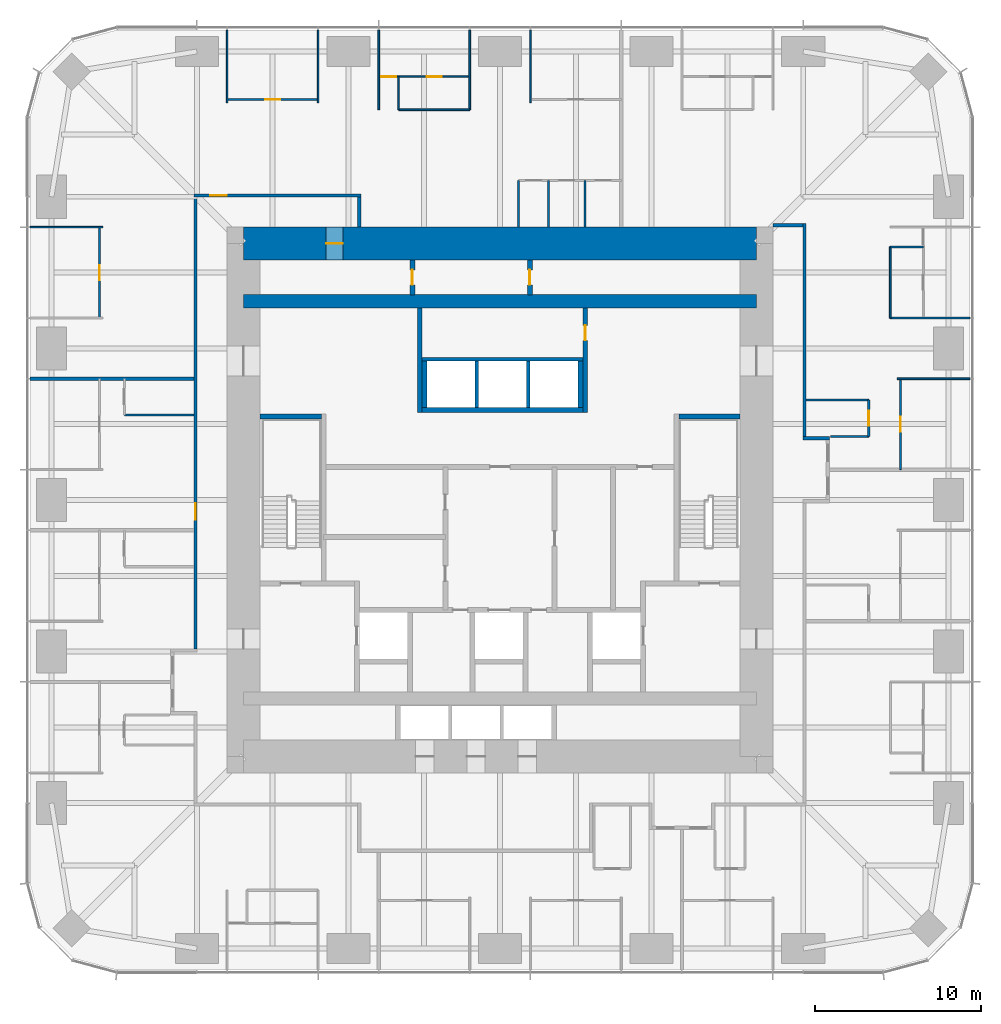
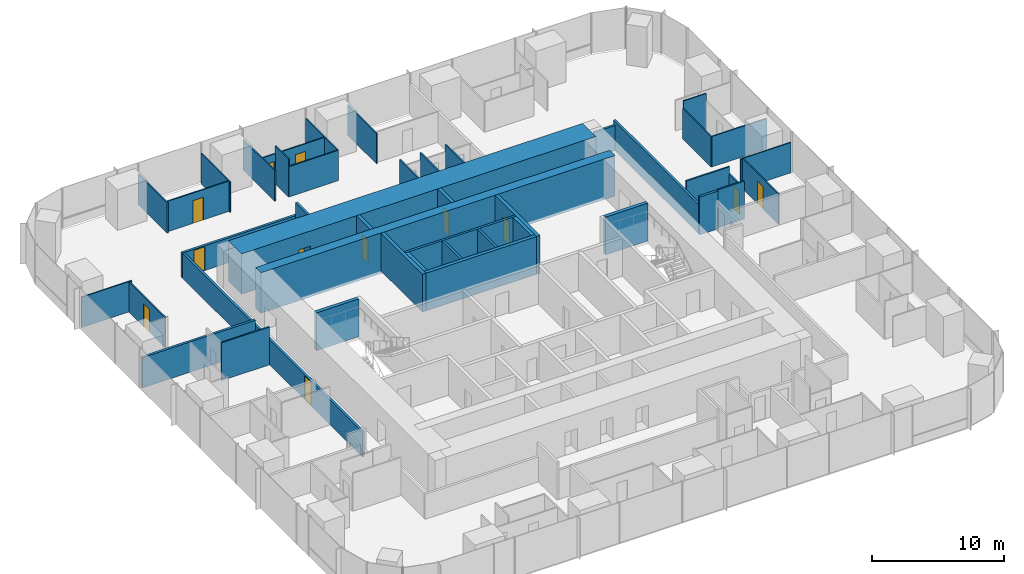
# One storey, part 11 of 13: 44 walls, 12 doors, 12 openings.
"""IFC4 building model written with IfcOpenShell, lengths in metres."""

import ifcopenshell
import ifcopenshell.guid

model = None  # the IFC model being written
_history = None  # IfcOwnerHistory: only IFC2X3 demands one
_inside = {}  # id of a spatial element -> (the spatial element, [elements in it])
_under = {}  # id of a project, library or spatial element -> (it, [spatial elements below it])
_declared = {}  # id of a project -> (the project, [libraries it declares])
_typed = {}  # id of a type object -> (the type object, [elements of that type])
_made_of = {}  # id of a material, layer set ... -> (it, [elements and type objects made of it])


def new_model(schema):
    """Start an empty IFC model of exactly this schema.

    Asked for "IFC4X3", IfcOpenShell would pick the latest addendum, in which some entities
    have other attributes; the version numbers below select the first issue.
    IFC2X3 requires an IfcOwnerHistory on every rooted entity: one is made here for all.
    """
    global model, _history
    if schema == "IFC4X3":
        model = ifcopenshell.file(schema_version=(4, 3, 0, 0))
    else:
        model = ifcopenshell.file(schema=schema)
    _inside.clear()
    _under.clear()
    _declared.clear()
    _typed.clear()
    _made_of.clear()
    _history = None
    if model.schema == "IFC2X3":
        org = make("IfcOrganization", Name="unknown")
        user = make(
            "IfcPersonAndOrganization",
            ThePerson=make("IfcPerson", FamilyName="unknown"),
            TheOrganization=org,
        )
        app = make(
            "IfcApplication",
            ApplicationDeveloper=org,
            Version="unknown",
            ApplicationFullName="unknown",
            ApplicationIdentifier="unknown",
        )
        _history = make(
            "IfcOwnerHistory",
            OwningUser=user,
            OwningApplication=app,
            ChangeAction="ADDED",
            CreationDate=0,
        )
    return model


def make(cls, **values):
    """One entity of the class cls with the attributes given. An attribute that is None is left unset."""
    return model.create_entity(
        cls, **{name: value for name, value in values.items() if value is not None}
    )


def rooted(cls, **values):
    """An entity with a GlobalId (a new one), such as an element, a storey or a relation."""
    return make(cls, GlobalId=ifcopenshell.guid.new(), OwnerHistory=_history, **values)


def si_unit(unit_type, name, prefix=None):
    """IfcSIUnit, for example si_unit("LENGTHUNIT", "METRE", prefix="MILLI")."""
    return make("IfcSIUnit", UnitType=unit_type, Prefix=prefix, Name=name)


def assignment(units):
    """IfcUnitAssignment: the units of a project."""
    return None if units is None else make("IfcUnitAssignment", Units=units)


def point(xyz):
    """IfcCartesianPoint."""
    return None if xyz is None else make("IfcCartesianPoint", Coordinates=xyz)


def direction(xyz):
    """IfcDirection."""
    return None if xyz is None else make("IfcDirection", DirectionRatios=xyz)


def frame(location, z_axis=None, x_axis=None):
    """IfcAxis2Placement3D, a coordinate frame: its origin and axes. An axis left out is left unset."""
    return make(
        "IfcAxis2Placement3D",
        Location=point(location),
        Axis=direction(z_axis),
        RefDirection=direction(x_axis),
    )


def frame_2d(location, x_axis=None):
    """IfcAxis2Placement2D, a coordinate frame in the plane: its origin and x axis."""
    return make(
        "IfcAxis2Placement2D", Location=point(location), RefDirection=direction(x_axis)
    )


def origin():
    """The frame at (0, 0, 0) with its axes left unset."""
    return frame((0.0, 0.0, 0.0))


def place(relative_to, where):
    """IfcLocalPlacement: puts the frame where relative to a parent placement (None: the world)."""
    return make(
        "IfcLocalPlacement", PlacementRelTo=relative_to, RelativePlacement=where
    )


def context(
    kind, dimensions, precision=None, world=None, true_north=None, identifier=None
):
    """IfcGeometricRepresentationContext, for example the 3D "Model" context."""
    return make(
        "IfcGeometricRepresentationContext",
        ContextIdentifier=identifier,
        ContextType=kind,
        CoordinateSpaceDimension=dimensions,
        Precision=precision,
        WorldCoordinateSystem=world,
        TrueNorth=true_north,
    )


def subcontext(parent, identifier, kind, view, scale=None):
    """IfcGeometricRepresentationSubContext, for example "Body" below "Model"."""
    return make(
        "IfcGeometricRepresentationSubContext",
        ContextIdentifier=identifier,
        ContextType=kind,
        ParentContext=parent,
        TargetScale=scale,
        TargetView=view,
    )


def project(units=None, contexts=None):
    """IfcProject with its units and contexts."""
    return rooted(
        "IfcProject",
        Name="project",
        RepresentationContexts=contexts,
        UnitsInContext=assignment(units),
    )


def spatial(cls, under=None, at=None, **own):
    """A site, building, storey or space (cls), placed at a placement, below another one or the project."""
    s = rooted(cls, ObjectPlacement=at, **own)
    if under is not None:
        _under.setdefault(under.id(), (under, []))[1].append(s)
    return s


def profile(cls, at=None, kind="AREA", **sizes):
    """A parametric profile (cls). Its sizes go by their IFC names, for example OverallWidth=200.0."""
    return make(cls, ProfileType=kind, Position=at, **sizes)


def rectangle(**sizes):
    """IfcRectangleProfileDef."""
    return profile("IfcRectangleProfileDef", **sizes)


def extrude(swept, where, along, depth):
    """IfcExtrudedAreaSolid: the profile swept, set in the frame where, extruded along a direction by depth."""
    return make(
        "IfcExtrudedAreaSolid",
        SweptArea=swept,
        Position=where,
        ExtrudedDirection=direction(along),
        Depth=depth,
    )


def shape(context_of_items, identifier, shape_type, items):
    """IfcShapeRepresentation: the items that make up one representation, for example the "Body"."""
    return make(
        "IfcShapeRepresentation",
        ContextOfItems=context_of_items,
        RepresentationIdentifier=identifier,
        RepresentationType=shape_type,
        Items=items,
    )


def material(Name=None, Category=None):
    """IfcMaterial."""
    return make("IfcMaterial", Name=Name, Category=Category)


def layer(
    of_material, thickness, ventilated=None, Name=None, Category=None, Priority=None
):
    """IfcMaterialLayer: one layer of a wall or slab, of a material (None: an air gap)."""
    return make(
        "IfcMaterialLayer",
        Material=of_material,
        LayerThickness=thickness,
        IsVentilated=ventilated,
        Name=Name,
        Category=Category,
        Priority=Priority,
    )


def layer_set(layers, Name=None):
    """IfcMaterialLayerSet."""
    return make("IfcMaterialLayerSet", MaterialLayers=layers, LayerSetName=Name)


def made_of(thing, what):
    """Note that an element or type object is made of a material, layer set ...; save() writes the relation."""
    if what is not None:
        _made_of.setdefault(what.id(), (what, []))[1].append(thing)
    return thing


def type_object(cls, material=None, **own):
    """A type object (cls), such as IfcWallType, which elements share."""
    return made_of(rooted(cls, **own), material)


def element(
    cls,
    number,
    at=None,
    inside=None,
    cuts=None,
    type_object=None,
    material=None,
    context=None,
    identifier="Body",
    shape_type=None,
    held_by="IfcProductDefinitionShape",
    body=None,
    shapes=None,
    **own,
):
    """One element of the class cls, such as IfcWall. Its Tag is "e" and its number.

    at: its placement. inside: the storey or other place that contains it. cuts: it is an
    opening in that element (IfcRelVoidsElement). A single representation is given by context,
    identifier, shape_type and body (its items); several are given by shapes. held_by: the class
    of the entity that holds the representations. save() writes the other relations.
    """
    e = rooted(cls, Tag="e%d" % number, ObjectPlacement=at, **own)
    if body is not None:
        shapes = [shape(context, identifier, shape_type, body)]
    if shapes is not None:
        e.Representation = make(held_by, Representations=shapes)
    if inside is not None:
        _inside.setdefault(inside.id(), (inside, []))[1].append(e)
    if cuts is not None:
        rooted(
            "IfcRelVoidsElement", RelatingBuildingElement=cuts, RelatedOpeningElement=e
        )
    if type_object is not None:
        _typed.setdefault(type_object.id(), (type_object, []))[1].append(e)
    return made_of(e, material)


def fill(opening, filler):
    """IfcRelFillsElement: the door or window that sits in an opening."""
    return rooted(
        "IfcRelFillsElement",
        RelatingOpeningElement=opening,
        RelatedBuildingElement=filler,
    )


def aggregate(whole, parts):
    """IfcRelAggregates: a whole, such as a stair, and the parts it consists of."""
    return rooted("IfcRelAggregates", RelatingObject=whole, RelatedObjects=parts)


def save(model, path):
    """Write the relations noted so far, then the file.

    IfcRelAggregates (storeys below a building ...), IfcRelContainedInSpatialStructure (elements
    in a storey), IfcRelDefinesByType, IfcRelAssociatesMaterial and IfcRelDeclares: one each for
    every whole, place, type object, material and project.
    """
    for whole, parts in _under.values():
        aggregate(whole, parts)
    for where, things in _inside.values():
        rooted(
            "IfcRelContainedInSpatialStructure",
            RelatedElements=things,
            RelatingStructure=where,
        )
    for kind, things in _typed.values():
        rooted("IfcRelDefinesByType", RelatedObjects=things, RelatingType=kind)
    for what, things in _made_of.values():
        rooted("IfcRelAssociatesMaterial", RelatedObjects=things, RelatingMaterial=what)
    for by, libraries in _declared.values():
        rooted("IfcRelDeclares", RelatingContext=by, RelatedDefinitions=libraries)
    model.write(path)


model = new_model("IFC4")

# Units and contexts
model_context = context("Model", 3, precision=1e-05, world=origin(), true_north=direction((0.0, 1.0)))
body_context = subcontext(model_context, "Body", "Model", "MODEL_VIEW")
ifc_project = project(units=[si_unit("LENGTHUNIT", "METRE"), si_unit("AREAUNIT", "SQUARE_METRE"), si_unit("VOLUMEUNIT", "CUBIC_METRE"), si_unit("PLANEANGLEUNIT", "RADIAN"), si_unit("MASSUNIT", "GRAM", prefix="KILO")], contexts=[model_context])

# Site, building, storey
site_placement = place(None, origin())
site = spatial("IfcSite", under=ifc_project, at=site_placement, CompositionType="ELEMENT")
building_placement = place(site_placement, origin())
building = spatial("IfcBuilding", under=site, at=building_placement, Name="Khuree Lantern Residences", CompositionType="ELEMENT")
storey_placement = place(building_placement, frame((0.0, 0.0, 156.0)))
storey = spatial("IfcBuildingStorey", under=building, at=storey_placement, Name="L39", CompositionType="ELEMENT", Elevation=156.0)

# Wall, opening, door
ifc_material_1 = material(Name="Moisture-resistant gypsum board on steel studs", Category="steel")
ifc_layer_1 = layer(ifc_material_1, 0.125)
ifc_layer_set_1 = layer_set([ifc_layer_1], Name="BATHROOM WALL BTW125")
wall_type_1 = type_object("IfcWallType", Name="BATHROOM WALL BTW125", PredefinedType="PARTITIONING", material=ifc_layer_set_1)
wall_1_placement = place(storey_placement, frame((22.27978515625, 3.83203125, 0.0), z_axis=(0.0, 0.0, 1.0), x_axis=(0.0, 1.0, 0.0)))
wall_1 = element("IfcWall", 1, at=wall_1_placement, inside=storey, type_object=wall_type_1, Name="L39 BATHROOM WALL 02", PredefinedType="PARTITIONING", context=body_context, shape_type="SweptSolid", body=[
    extrude(rectangle(XDim=2.199951171875, YDim=0.125, at=frame_2d((1.10009765625, 0.0))), origin(), (0.0, 0.0, 1.0), 2.81005859375),
])
opening_1_placement = place(wall_1_placement, frame((0.64990234375, 0.0, 0.0)))
opening_1 = element("IfcOpeningElement", 2, at=opening_1_placement, cuts=wall_1, Name="Opening 39-032", PredefinedType="OPENING", context=body_context, shape_type="SweptSolid", body=[
    extrude(rectangle(XDim=0.89990234375, YDim=2.10009765625, at=frame_2d((0.449951171875, 1.050048828125))), frame((0.0, 0.072509765625, 0.0), z_axis=(0.0, -1.0, 0.0), x_axis=(1.0, 0.0, 0.0)), (0.0, 0.0, 1.0), 0.14501953125),
])
ifc_material_2 = material(Name="Timber door leaf in hardwood frame", Category="wood")
door_type_1 = type_object("IfcDoorType", Name="BATHROOM DOOR 900X2100", OperationType="SINGLE_SWING_LEFT", PredefinedType="DOOR", material=ifc_material_2)
door_1_placement = place(opening_1_placement, origin())
door_1 = element("IfcDoor", 3, at=door_1_placement, inside=storey, type_object=door_type_1, Name="Bathroom door 39-032", OperationType="SINGLE_SWING_LEFT", OverallHeight=2.10009765625, OverallWidth=0.89990234375, PredefinedType="DOOR", context=body_context, shape_type="SweptSolid", body=[
    extrude(rectangle(XDim=0.89990234375, YDim=2.10009765625, at=frame_2d((0.449951171875, 1.050048828125))), frame((0.0, 0.02490234375, 0.0), z_axis=(0.0, -1.0, 0.0), x_axis=(1.0, 0.0, 0.0)), (0.0, 0.0, 1.0), 0.050048828125),
])
fill(opening_1, door_1)

# Walls
wall_2_placement = place(storey_placement, frame((19.969970703125, 3.83203125, 0.0), z_axis=(0.0, 0.0, 1.0), x_axis=(1.0, 0.0, 0.0)))
element("IfcWall", 4, at=wall_2_placement, inside=storey, type_object=wall_type_1, Name="L39 BATHROOM WALL 02", PredefinedType="PARTITIONING", context=body_context, shape_type="SweptSolid", body=[
    extrude(rectangle(XDim=2.309814453125, YDim=0.125, at=frame_2d((1.15478515625, 0.0))), origin(), (0.0, 0.0, 1.0), 3.5),
])
wall_3_placement = place(storey_placement, frame((18.5, 6.031982421875, 0.0), z_axis=(0.0, 0.0, 1.0), x_axis=(1.0, 0.0, 0.0)))
element("IfcWall", 5, at=wall_3_placement, inside=storey, type_object=wall_type_1, Name="L39 BATHROOM WALL 02", PredefinedType="PARTITIONING", context=body_context, shape_type="SweptSolid", body=[
    extrude(rectangle(XDim=3.77978515625, YDim=0.125, at=frame_2d((1.889892578125, 0.0))), origin(), (0.0, 0.0, 1.0), 3.5),
])
for number, where, z_axis, x_axis, name in (
    (6, (5.1279296875, 16.5, 0.0), (0.0, 0.0, 1.0), (0.0, 1.0, 0.0), "L39 BATHROOM WALL 03"),
    (7, (2.927978515625, 16.5, 0.0), (0.0, 0.0, 1.0), (0.0, 1.0, 0.0), "L39 BATHROOM WALL 03"),
    (8, (1.1279296875, 16.5, 0.0), (0.0, 0.0, 1.0), (0.0, 1.0, 0.0), "L39 BATHROOM WALL 03"),
):
    element("IfcWall", number, at=place(storey_placement, frame(where, z_axis=z_axis, x_axis=x_axis)), inside=storey, type_object=wall_type_1, Name=name, PredefinedType="PARTITIONING", context=body_context, shape_type="SweptSolid", body=[
        extrude(rectangle(XDim=2.800048828125, YDim=0.125, at=frame_2d((1.39990234375, 0.0))), origin(), (0.0, 0.0, 1.0), 3.5),
    ])
wall_4_placement = place(storey_placement, frame((-18.5, 5.1279296875, 0.0), z_axis=(0.0, 0.0, 1.0), x_axis=(-1.0, 0.0, 0.0)))
element("IfcWall", 9, at=wall_4_placement, inside=storey, type_object=wall_type_1, Name="L39 BATHROOM WALL 04", PredefinedType="PARTITIONING", context=body_context, shape_type="SweptSolid", body=[
    extrude(rectangle(XDim=4.199951171875, YDim=0.125, at=frame_2d((2.10009765625, 0.0))), origin(), (0.0, 0.0, 1.0), 3.5),
])
ifc_material_3 = material(Name="Dense concrete blockwork", Category="masonry")
ifc_layer_2 = layer(ifc_material_3, 0.300048828125)
ifc_layer_set_2 = layer_set([ifc_layer_2], Name="CORE PARTITION WALL CPW300 EI 120")
wall_type_2 = type_object("IfcWallType", Name="CORE PARTITION WALL CPW300 EI 120", PredefinedType="PARTITIONING", material=ifc_layer_set_2)
wall_5_placement = place(storey_placement, frame((-4.699951171875, 5.449951171875, 0.0), z_axis=(0.0, 0.0, 1.0), x_axis=(1.0, 0.0, 0.0)))
element("IfcWall", 10, at=wall_5_placement, inside=storey, type_object=wall_type_2, Name="L39 CORE WALL PHS", PredefinedType="PARTITIONING", context=body_context, shape_type="SweptSolid", body=[
    extrude(rectangle(XDim=9.699951171875, YDim=0.300048828125, at=frame_2d((4.85009765625, 0.0))), origin(), (0.0, 0.0, 1.0), 3.5),
])
for number, where, z_axis, x_axis, name in (
    (11, (-4.550048828125, 5.60009765625, 0.0), (0.0, 0.0, 1.0), (0.0, 1.0, 0.0), "L39 CORE WALL PHW"),
    (12, (4.85009765625, 5.60009765625, 0.0), (0.0, 0.0, 1.0), (0.0, 1.0, 0.0), "L39 CORE WALL PHE"),
):
    element("IfcWall", number, at=place(storey_placement, frame(where, z_axis=z_axis, x_axis=x_axis)), inside=storey, type_object=wall_type_2, Name=name, PredefinedType="PARTITIONING", context=body_context, shape_type="SweptSolid", body=[
        extrude(rectangle(XDim=2.7998046875, YDim=0.300048828125, at=frame_2d((1.39990234375, 0.0))), origin(), (0.0, 0.0, 1.0), 3.5),
    ])
wall_6_placement = place(storey_placement, frame((-4.85009765625, 5.300048828125, 0.0), z_axis=(0.0, 0.0, 1.0), x_axis=(0.0, 1.0, 0.0)))
element("IfcWall", 13, at=wall_6_placement, inside=storey, type_object=wall_type_2, Name="L39 CORE WALL NW", PredefinedType="PARTITIONING", context=body_context, shape_type="SweptSolid", body=[
    extrude(rectangle(XDim=6.300048828125, YDim=0.300048828125, at=frame_2d((3.14990234375, 0.0))), origin(), (0.0, 0.0, 1.0), 3.5),
])

# Wall, opening, door
wall_7_placement = place(storey_placement, frame((5.14990234375, 5.300048828125, 0.0), z_axis=(0.0, 0.0, 1.0), x_axis=(0.0, 1.0, 0.0)))
wall_7 = element("IfcWall", 14, at=wall_7_placement, inside=storey, type_object=wall_type_2, Name="L39 CORE WALL NE", PredefinedType="PARTITIONING", context=body_context, shape_type="SweptSolid", body=[
    extrude(rectangle(XDim=6.300048828125, YDim=0.300048828125, at=frame_2d((3.14990234375, 0.0))), origin(), (0.0, 0.0, 1.0), 3.5),
])
opening_2_placement = place(wall_7_placement, frame((4.35009765625, 0.0, 0.0)))
opening_2 = element("IfcOpeningElement", 15, at=opening_2_placement, cuts=wall_7, Name="Opening 39-020", PredefinedType="OPENING", context=body_context, shape_type="SweptSolid", body=[
    extrude(rectangle(XDim=0.89990234375, YDim=2.10009765625, at=frame_2d((0.449951171875, 1.050048828125))), frame((0.0, 0.16015625, 0.0), z_axis=(0.0, -1.0, 0.0), x_axis=(1.0, 0.0, 0.0)), (0.0, 0.0, 1.0), 0.320068359375),
])
door_type_2 = type_object("IfcDoorType", Name="DOOR 900X2100", OperationType="SINGLE_SWING_LEFT", PredefinedType="DOOR", material=ifc_material_2)
door_2_placement = place(opening_2_placement, origin())
door_2 = element("IfcDoor", 16, at=door_2_placement, inside=storey, type_object=door_type_2, Name="Residents' store door 39-020", OperationType="SINGLE_SWING_LEFT", OverallHeight=2.10009765625, OverallWidth=0.89990234375, PredefinedType="DOOR", context=body_context, shape_type="SweptSolid", body=[
    extrude(rectangle(XDim=0.89990234375, YDim=2.10009765625, at=frame_2d((0.449951171875, 1.050048828125))), frame((0.0, 0.02490234375, 0.0), z_axis=(0.0, -1.0, 0.0), x_axis=(1.0, 0.0, 0.0)), (0.0, 0.0, 1.0), 0.050048828125),
])
fill(opening_2, door_2)

wall_8_placement = place(storey_placement, frame((-5.300048828125, 12.39990234375, 0.0), z_axis=(0.0, 0.0, 1.0), x_axis=(0.0, 1.0, 0.0)))
wall_8 = element("IfcWall", 17, at=wall_8_placement, inside=storey, type_object=wall_type_2, Name="L39 CORE WALL PLX", PredefinedType="PARTITIONING", context=body_context, shape_type="SweptSolid", body=[
    extrude(rectangle(XDim=2.10009765625, YDim=0.300048828125, at=frame_2d((1.050048828125, 0.0))), origin(), (0.0, 0.0, 1.0), 3.5),
])
opening_3_placement = place(wall_8_placement, frame((0.60009765625, 0.0, 0.0)))
opening_3 = element("IfcOpeningElement", 18, at=opening_3_placement, cuts=wall_8, Name="Opening 39-021", PredefinedType="OPENING", context=body_context, shape_type="SweptSolid", body=[
    extrude(rectangle(XDim=0.89990234375, YDim=2.10009765625, at=frame_2d((0.449951171875, 1.050048828125))), frame((0.0, 0.16015625, 0.0), z_axis=(0.0, -1.0, 0.0), x_axis=(1.0, 0.0, 0.0)), (0.0, 0.0, 1.0), 0.320068359375),
])
door_3_placement = place(opening_3_placement, origin())
door_3 = element("IfcDoor", 19, at=door_3_placement, inside=storey, type_object=door_type_2, Name="Maintenance store door 39-021", OperationType="SINGLE_SWING_LEFT", OverallHeight=2.10009765625, OverallWidth=0.89990234375, PredefinedType="DOOR", context=body_context, shape_type="SweptSolid", body=[
    extrude(rectangle(XDim=0.89990234375, YDim=2.10009765625, at=frame_2d((0.449951171875, 1.050048828125))), frame((0.0, 0.02490234375, 0.0), z_axis=(0.0, -1.0, 0.0), x_axis=(1.0, 0.0, 0.0)), (0.0, 0.0, 1.0), 0.050048828125),
])
fill(opening_3, door_3)

wall_9_placement = place(storey_placement, frame((1.800048828125, 12.39990234375, 0.0), z_axis=(0.0, 0.0, 1.0), x_axis=(0.0, 1.0, 0.0)))
wall_9 = element("IfcWall", 20, at=wall_9_placement, inside=storey, type_object=wall_type_2, Name="L39 CORE WALL PLY", PredefinedType="PARTITIONING", context=body_context, shape_type="SweptSolid", body=[
    extrude(rectangle(XDim=2.10009765625, YDim=0.300048828125, at=frame_2d((1.050048828125, 0.0))), origin(), (0.0, 0.0, 1.0), 3.5),
])
opening_4_placement = place(wall_9_placement, frame((0.60009765625, 0.0, 0.0)))
opening_4 = element("IfcOpeningElement", 21, at=opening_4_placement, cuts=wall_9, Name="Opening 39-022", PredefinedType="OPENING", context=body_context, shape_type="SweptSolid", body=[
    extrude(rectangle(XDim=0.89990234375, YDim=2.10009765625, at=frame_2d((0.449951171875, 1.050048828125))), frame((0.0, 0.16015625, 0.0), z_axis=(0.0, -1.0, 0.0), x_axis=(1.0, 0.0, 0.0)), (0.0, 0.0, 1.0), 0.320068359375),
])
door_4_placement = place(opening_4_placement, origin())
door_4 = element("IfcDoor", 22, at=door_4_placement, inside=storey, type_object=door_type_2, Name="Cleaner's store door 39-022", OperationType="SINGLE_SWING_LEFT", OverallHeight=2.10009765625, OverallWidth=0.89990234375, PredefinedType="DOOR", context=body_context, shape_type="SweptSolid", body=[
    extrude(rectangle(XDim=0.89990234375, YDim=2.10009765625, at=frame_2d((0.449951171875, 1.050048828125))), frame((0.0, 0.02490234375, 0.0), z_axis=(0.0, -1.0, 0.0), x_axis=(1.0, 0.0, 0.0)), (0.0, 0.0, 1.0), 0.050048828125),
])
fill(opening_4, door_4)

# Wall
ifc_material_4 = material(Name="Gypsum board on steel studs", Category="steel")
ifc_layer_3 = layer(ifc_material_4, 0.199951171875)
ifc_layer_set_3 = layer_set([ifc_layer_3], Name="CORRIDOR WALL CRW200 EI 60")
wall_type_3 = type_object("IfcWallType", Name="CORRIDOR WALL CRW200 EI 60", PredefinedType="PARTITIONING", material=ifc_layer_set_3)
wall_10_placement = place(storey_placement, frame((16.5, 16.60009765625, 0.0), z_axis=(0.0, 0.0, 1.0), x_axis=(1.0, 0.0, 0.0)))
element("IfcWall", 23, at=wall_10_placement, inside=storey, type_object=wall_type_3, Name="L39 EAST CORRIDOR NORTH END WALL", PredefinedType="PARTITIONING", context=body_context, shape_type="SweptSolid", body=[
    extrude(rectangle(XDim=1.800048828125, YDim=0.199951171875, at=frame_2d((0.89990234375, 0.0))), origin(), (0.0, 0.0, 1.0), 2.300048828125),
])

# Wall, opening, door
wall_11_placement = place(storey_placement, frame((-18.5, 18.39990234375, 0.0), z_axis=(0.0, 0.0, 1.0), x_axis=(1.0, 0.0, 0.0)))
wall_11 = element("IfcWall", 24, at=wall_11_placement, inside=storey, type_object=wall_type_3, Name="L39 CORRIDOR WALL NORTH", PredefinedType="PARTITIONING", context=body_context, shape_type="SweptSolid", body=[
    extrude(rectangle(XDim=10.10009765625, YDim=0.199951171875, at=frame_2d((5.050048828125, 0.0))), origin(), (0.0, 0.0, 1.0), 2.300048828125),
])
opening_5_placement = place(wall_11_placement, frame((1.0, 0.0, 0.0)))
opening_5 = element("IfcOpeningElement", 25, at=opening_5_placement, cuts=wall_11, Name="Opening 39-042", PredefinedType="OPENING", context=body_context, shape_type="SweptSolid", body=[
    extrude(rectangle(XDim=1.0, YDim=2.199951171875, at=frame_2d((0.5, 1.10009765625))), frame((0.0, 0.10986328125, 0.0), z_axis=(0.0, -1.0, 0.0), x_axis=(1.0, 0.0, 0.0)), (0.0, 0.0, 1.0), 0.219970703125),
])
door_type_3 = type_object("IfcDoorType", Name="APARTMENT ENTRANCE DOOR 1000X2200 EI 30S", OperationType="SINGLE_SWING_LEFT", PredefinedType="DOOR", material=ifc_material_2)
door_5_placement = place(opening_5_placement, origin())
door_5 = element("IfcDoor", 26, at=door_5_placement, inside=storey, type_object=door_type_3, Name="Apartment 03 entrance door 39-042", OperationType="SINGLE_SWING_LEFT", OverallHeight=2.199951171875, OverallWidth=1.0, PredefinedType="DOOR", context=body_context, shape_type="SweptSolid", body=[
    extrude(rectangle(XDim=1.0, YDim=2.199951171875, at=frame_2d((0.5, 1.10009765625))), frame((0.0, 0.02490234375, 0.0), z_axis=(0.0, -1.0, 0.0), x_axis=(1.0, 0.0, 0.0)), (0.0, 0.0, 1.0), 0.050048828125),
])
fill(opening_5, door_5)

# Walls
wall_12_placement = place(storey_placement, frame((-8.5, 18.300048828125, 0.0), z_axis=(0.0, 0.0, 1.0), x_axis=(0.0, -1.0, 0.0)))
element("IfcWall", 27, at=wall_12_placement, inside=storey, type_object=wall_type_3, Name="L39 NORTH CORRIDOR END WALL", PredefinedType="PARTITIONING", context=body_context, shape_type="SweptSolid", body=[
    extrude(rectangle(XDim=1.800048828125, YDim=0.199951171875, at=frame_2d((0.89990234375, 0.0))), origin(), (0.0, 0.0, 1.0), 3.5),
])
wall_13_placement = place(storey_placement, frame((18.300048828125, 3.73193359375, 0.0), z_axis=(0.0, 0.0, 1.0), x_axis=(1.0, 0.0, 0.0)))
element("IfcWall", 28, at=wall_13_placement, inside=storey, type_object=wall_type_3, Name="L39 CORRIDOR ALCOVE WALL EAST", PredefinedType="PARTITIONING", context=body_context, shape_type="SweptSolid", body=[
    extrude(rectangle(XDim=1.599853515625, YDim=0.199951171875, at=frame_2d((0.7998046875, 0.0))), origin(), (0.0, 0.0, 1.0), 3.5),
])
wall_14_placement = place(storey_placement, frame((18.39990234375, 3.83203125, 0.0), z_axis=(0.0, 0.0, 1.0), x_axis=(0.0, 1.0, 0.0)))
element("IfcWall", 29, at=wall_14_placement, inside=storey, type_object=wall_type_3, Name="L39 CORRIDOR WALL EAST 2", PredefinedType="PARTITIONING", context=body_context, shape_type="SweptSolid", body=[
    extrude(rectangle(XDim=12.867919921875, YDim=0.199951171875, at=frame_2d((6.43408203125, 0.0))), origin(), (0.0, 0.0, 1.0), 2.699951171875),
])

# Wall, opening, door
wall_15_placement = place(storey_placement, frame((-18.39990234375, 18.300048828125, 0.0), z_axis=(0.0, 0.0, 1.0), x_axis=(0.0, -1.0, 0.0)))
wall_15 = element("IfcWall", 30, at=wall_15_placement, inside=storey, type_object=wall_type_3, Name="L39 CORRIDOR WALL WEST 1", PredefinedType="PARTITIONING", context=body_context, shape_type="SweptSolid", body=[
    extrude(rectangle(XDim=27.2919921875, YDim=0.199951171875, at=frame_2d((13.64599609375, 0.0))), origin(), (0.0, 0.0, 1.0), 2.300048828125),
])
opening_6_placement = place(wall_15_placement, frame((18.491943359375, 0.0, 0.0)))
opening_6 = element("IfcOpeningElement", 31, at=opening_6_placement, cuts=wall_15, Name="Opening 39-045", PredefinedType="OPENING", context=body_context, shape_type="SweptSolid", body=[
    extrude(rectangle(XDim=1.0, YDim=2.199951171875, at=frame_2d((0.5, 1.10009765625))), frame((0.0, 0.10986328125, 0.0), z_axis=(0.0, -1.0, 0.0), x_axis=(1.0, 0.0, 0.0)), (0.0, 0.0, 1.0), 0.219970703125),
])
door_6_placement = place(opening_6_placement, origin())
door_6 = element("IfcDoor", 32, at=door_6_placement, inside=storey, type_object=door_type_3, Name="Apartment 04 entrance door 39-045", OperationType="SINGLE_SWING_LEFT", OverallHeight=2.199951171875, OverallWidth=1.0, PredefinedType="DOOR", context=body_context, shape_type="SweptSolid", body=[
    extrude(rectangle(XDim=1.0, YDim=2.199951171875, at=frame_2d((0.5, 1.10009765625))), frame((0.0, 0.02490234375, 0.0), z_axis=(0.0, -1.0, 0.0), x_axis=(1.0, 0.0, 0.0)), (0.0, 0.0, 1.0), 0.050048828125),
])
fill(opening_6, door_6)

ifc_material_5 = material(Name="Concrete C70/85", Category="concrete")
ifc_layer_4 = layer(ifc_material_5, 2.0)
ifc_layer_set_4 = layer_set([ifc_layer_4], Name="CW2000-C70 CORE WALL C70 2000")
wall_type_4 = type_object("IfcWallType", Name="CW2000-C70 CORE WALL C70 2000", PredefinedType="SHEAR", material=ifc_layer_set_4)
wall_16_placement = place(storey_placement, frame((-15.5, 15.5, -0.25), z_axis=(0.0, 0.0, 1.0), x_axis=(1.0, 0.0, 0.0)))
wall_16 = element("IfcWall", 33, at=wall_16_placement, inside=storey, type_object=wall_type_4, Name="Core wall N", PredefinedType="SHEAR", context=body_context, shape_type="SweptSolid", body=[
    extrude(rectangle(XDim=31.0, YDim=2.0, at=frame_2d((15.5, 0.0))), origin(), (0.0, 0.0, 1.0), 3.75),
])
opening_7_placement = place(wall_16_placement, frame((5.0, 0.0, 0.25)))
opening_7 = element("IfcOpeningElement", 34, at=opening_7_placement, cuts=wall_16, Name="Opening 39-023", PredefinedType="OPENING", context=body_context, shape_type="SweptSolid", body=[
    extrude(rectangle(XDim=1.0, YDim=2.10009765625, at=frame_2d((0.5, 1.050048828125))), frame((0.0, 1.010009765625, 0.0), z_axis=(0.0, -1.0, 0.0), x_axis=(1.0, 0.0, 0.0)), (0.0, 0.0, 1.0), 2.02001953125),
])
ifc_material_6 = material(Name="Steel door leaf in steel frame", Category="steel")
door_type_4 = type_object("IfcDoorType", Name="DOOR 1000X2100 EI 60 RIGHT HAND", OperationType="SINGLE_SWING_RIGHT", PredefinedType="DOOR", material=ifc_material_6)
door_7_placement = place(opening_7_placement, origin())
door_7 = element("IfcDoor", 35, at=door_7_placement, inside=storey, type_object=door_type_4, Name="Residents' store door 39-023", OperationType="SINGLE_SWING_RIGHT", OverallHeight=2.10009765625, OverallWidth=1.0, PredefinedType="DOOR", context=body_context, shape_type="SweptSolid", body=[
    extrude(rectangle(XDim=1.0, YDim=2.10009765625, at=frame_2d((0.5, 1.050048828125))), frame((0.0, 0.02490234375, 0.0), z_axis=(0.0, -1.0, 0.0), x_axis=(1.0, 0.0, 0.0)), (0.0, 0.0, 1.0), 0.050048828125),
])
fill(opening_7, door_7)

# Walls
ifc_layer_5 = layer(ifc_material_4, 0.199951171875)
ifc_layer_set_5 = layer_set([ifc_layer_5], Name="DEMISING WALL DMW200 EI 90")
wall_type_5 = type_object("IfcWallType", Name="DEMISING WALL DMW200 EI 90", PredefinedType="PARTITIONING", material=ifc_layer_set_5)
wall_17_placement = place(storey_placement, frame((-18.5, 7.327880859375, 0.0), z_axis=(0.0, 0.0, 1.0), x_axis=(-1.0, 0.0, 0.0)))
element("IfcWall", 36, at=wall_17_placement, inside=storey, type_object=wall_type_5, Name="L39 DEMISING WALL 04", PredefinedType="PARTITIONING", context=body_context, shape_type="SweptSolid", body=[
    extrude(rectangle(XDim=9.89990234375, YDim=0.199951171875, at=frame_2d((4.949951171875, 0.0))), origin(), (0.0, 0.0, 1.0), 2.81005859375),
])
ifc_layer_6 = layer(ifc_material_4, 0.10009765625)
ifc_layer_set_6 = layer_set([ifc_layer_6], Name="PARTITION PT100")
wall_type_6 = type_object("IfcWallType", Name="PARTITION PT100", PredefinedType="PARTITIONING", material=ifc_layer_set_6)
wall_18_placement = place(storey_placement, frame((24.0, 7.327880859375, 0.0), z_axis=(0.0, 0.0, 1.0), x_axis=(1.0, 0.0, 0.0)))
element("IfcWall", 37, at=wall_18_placement, inside=storey, type_object=wall_type_6, Name="L39 PARTITION 02", PredefinedType="PARTITIONING", context=body_context, shape_type="SweptSolid", body=[
    extrude(rectangle(XDim=4.39990234375, YDim=0.10009765625, at=frame_2d((2.199951171875, 0.0))), origin(), (0.0, 0.0, 1.0), 2.81005859375),
])
wall_19_placement = place(storey_placement, frame((23.579833984375, 10.991943359375, 0.0), z_axis=(0.0, 0.0, 1.0), x_axis=(1.0, 0.0, 0.0)))
element("IfcWall", 38, at=wall_19_placement, inside=storey, type_object=wall_type_6, Name="L39 PARTITION 02", PredefinedType="PARTITIONING", context=body_context, shape_type="SweptSolid", body=[
    extrude(rectangle(XDim=4.820068359375, YDim=0.10009765625, at=frame_2d((2.41015625, 0.0))), origin(), (0.0, 0.0, 1.0), 2.81005859375),
])
wall_20_placement = place(storey_placement, frame((1.83203125, 24.0, 0.0), z_axis=(0.0, 0.0, 1.0), x_axis=(0.0, 1.0, 0.0)))
element("IfcWall", 39, at=wall_20_placement, inside=storey, type_object=wall_type_6, Name="L39 PARTITION 03", PredefinedType="PARTITIONING", context=body_context, shape_type="SweptSolid", body=[
    extrude(rectangle(XDim=4.39990234375, YDim=0.10009765625, at=frame_2d((2.199951171875, 0.0))), origin(), (0.0, 0.0, 1.0), 2.81005859375),
])
for number, where, z_axis, x_axis, name in (
    (40, (-1.83203125, 23.579833984375, 0.0), (0.0, 0.0, 1.0), (0.0, 1.0, 0.0), "L39 PARTITION 03"),
    (41, (-7.327880859375, 23.579833984375, 0.0), (0.0, 0.0, 1.0), (0.0, 1.0, 0.0), "L39 PARTITION 03"),
):
    element("IfcWall", number, at=place(storey_placement, frame(where, z_axis=z_axis, x_axis=x_axis)), inside=storey, type_object=wall_type_6, Name=name, PredefinedType="PARTITIONING", context=body_context, shape_type="SweptSolid", body=[
        extrude(rectangle(XDim=4.820068359375, YDim=0.10009765625, at=frame_2d((2.41015625, 0.0))), origin(), (0.0, 0.0, 1.0), 2.81005859375),
    ])
for number, where, z_axis, x_axis, name in (
    (42, (-10.991943359375, 24.0, 0.0), (0.0, 0.0, 1.0), (0.0, 1.0, 0.0), "L39 PARTITION 03"),
    (43, (-16.488037109375, 24.0, 0.0), (0.0, 0.0, 1.0), (0.0, 1.0, 0.0), "L39 PARTITION 03"),
    (44, (-24.0, 16.488037109375, 0.0), (0.0, 0.0, 1.0), (-1.0, 0.0, 0.0), "L39 PARTITION 03"),
):
    element("IfcWall", number, at=place(storey_placement, frame(where, z_axis=z_axis, x_axis=x_axis)), inside=storey, type_object=wall_type_6, Name=name, PredefinedType="PARTITIONING", context=body_context, shape_type="SweptSolid", body=[
        extrude(rectangle(XDim=4.39990234375, YDim=0.10009765625, at=frame_2d((2.199951171875, 0.0))), origin(), (0.0, 0.0, 1.0), 2.81005859375),
    ])

# Wall, opening, door
wall_21_placement = place(storey_placement, frame((24.199951171875, 1.83203125, 0.0), z_axis=(0.0, 0.0, 1.0), x_axis=(0.0, 1.0, 0.0)))
wall_21 = element("IfcWall", 45, at=wall_21_placement, inside=storey, type_object=wall_type_6, Name="L39 PARTITION 02", PredefinedType="PARTITIONING", context=body_context, shape_type="SweptSolid", body=[
    extrude(rectangle(XDim=5.495849609375, YDim=0.10009765625, at=frame_2d((2.748046875, 0.0))), origin(), (0.0, 0.0, 1.0), 2.81005859375),
])
opening_8_placement = place(wall_21_placement, frame((2.298095703125, 0.0, 0.0)))
opening_8 = element("IfcOpeningElement", 46, at=opening_8_placement, cuts=wall_21, Name="Opening 39-027", PredefinedType="OPENING", context=body_context, shape_type="SweptSolid", body=[
    extrude(rectangle(XDim=0.89990234375, YDim=2.10009765625, at=frame_2d((0.449951171875, 1.050048828125))), frame((0.0, 0.06005859375, 0.0), z_axis=(0.0, -1.0, 0.0), x_axis=(1.0, 0.0, 0.0)), (0.0, 0.0, 1.0), 0.1201171875),
])
door_type_5 = type_object("IfcDoorType", Name="BEDROOM DOOR 900X2100", OperationType="SINGLE_SWING_LEFT", PredefinedType="DOOR", material=ifc_material_2)
door_8_placement = place(opening_8_placement, origin())
door_8 = element("IfcDoor", 47, at=door_8_placement, inside=storey, type_object=door_type_5, Name="Bedroom door 39-027", OperationType="SINGLE_SWING_LEFT", OverallHeight=2.10009765625, OverallWidth=0.89990234375, PredefinedType="DOOR", context=body_context, shape_type="SweptSolid", body=[
    extrude(rectangle(XDim=0.89990234375, YDim=2.10009765625, at=frame_2d((0.449951171875, 1.050048828125))), frame((0.0, 0.02490234375, 0.0), z_axis=(0.0, -1.0, 0.0), x_axis=(1.0, 0.0, 0.0)), (0.0, 0.0, 1.0), 0.050048828125),
])
fill(opening_8, door_8)

# Walls
wall_22_placement = place(storey_placement, frame((23.579833984375, 15.2880859375, 0.0), z_axis=(0.0, 0.0, 1.0), x_axis=(1.0, 0.0, 0.0)))
element("IfcWall", 48, at=wall_22_placement, inside=storey, type_object=wall_type_6, Name="L39 PARTITION 02", PredefinedType="PARTITIONING", context=body_context, shape_type="SweptSolid", body=[
    extrude(rectangle(XDim=2.0, YDim=0.10009765625, at=frame_2d((1.0, 0.0))), origin(), (0.0, 0.0, 1.0), 3.5),
])
wall_23_placement = place(storey_placement, frame((23.579833984375, 10.991943359375, 0.0), z_axis=(0.0, 0.0, 1.0), x_axis=(0.0, 1.0, 0.0)))
element("IfcWall", 49, at=wall_23_placement, inside=storey, type_object=wall_type_6, Name="L39 PARTITION 02", PredefinedType="PARTITIONING", context=body_context, shape_type="SweptSolid", body=[
    extrude(rectangle(XDim=4.296142578125, YDim=0.10009765625, at=frame_2d((2.14794921875, 0.0))), origin(), (0.0, 0.0, 1.0), 2.81005859375),
])

# Wall, openings, doors
wall_24_placement = place(storey_placement, frame((-1.83203125, 25.579833984375, 0.0), z_axis=(0.0, 0.0, 1.0), x_axis=(-1.0, 0.0, 0.0)))
wall_24 = element("IfcWall", 50, at=wall_24_placement, inside=storey, type_object=wall_type_6, Name="L39 PARTITION 03", PredefinedType="PARTITIONING", context=body_context, shape_type="SweptSolid", body=[
    extrude(rectangle(XDim=5.495849609375, YDim=0.10009765625, at=frame_2d((2.748046875, 0.0))), origin(), (0.0, 0.0, 1.0), 2.81005859375),
])
opening_9_placement = place(wall_24_placement, frame((4.446044921875, 0.0, 0.0)))
opening_9 = element("IfcOpeningElement", 51, at=opening_9_placement, cuts=wall_24, Name="Opening 39-035", PredefinedType="OPENING", context=body_context, shape_type="SweptSolid", body=[
    extrude(rectangle(XDim=0.89990234375, YDim=2.10009765625, at=frame_2d((0.449951171875, 1.050048828125))), frame((0.0, 0.06005859375, 0.0), z_axis=(0.0, -1.0, 0.0), x_axis=(1.0, 0.0, 0.0)), (0.0, 0.0, 1.0), 0.1201171875),
])
opening_10_placement = place(wall_24_placement, frame((1.697998046875, 0.0, 0.0)))
opening_10 = element("IfcOpeningElement", 52, at=opening_10_placement, cuts=wall_24, Name="Opening 39-036", PredefinedType="OPENING", context=body_context, shape_type="SweptSolid", body=[
    extrude(rectangle(XDim=0.89990234375, YDim=2.10009765625, at=frame_2d((0.449951171875, 1.050048828125))), frame((0.0, 0.06005859375, 0.0), z_axis=(0.0, -1.0, 0.0), x_axis=(1.0, 0.0, 0.0)), (0.0, 0.0, 1.0), 0.1201171875),
])
door_9_placement = place(opening_9_placement, origin())
door_9 = element("IfcDoor", 53, at=door_9_placement, inside=storey, type_object=door_type_5, Name="Bedroom door 39-035", OperationType="SINGLE_SWING_LEFT", OverallHeight=2.10009765625, OverallWidth=0.89990234375, PredefinedType="DOOR", context=body_context, shape_type="SweptSolid", body=[
    extrude(rectangle(XDim=0.89990234375, YDim=2.10009765625, at=frame_2d((0.449951171875, 1.050048828125))), frame((0.0, 0.02490234375, 0.0), z_axis=(0.0, -1.0, 0.0), x_axis=(1.0, 0.0, 0.0)), (0.0, 0.0, 1.0), 0.050048828125),
])
fill(opening_9, door_9)
door_10_placement = place(opening_10_placement, origin())
door_10 = element("IfcDoor", 54, at=door_10_placement, inside=storey, type_object=door_type_2, Name="Wardrobe door 39-036", OperationType="SINGLE_SWING_LEFT", OverallHeight=2.10009765625, OverallWidth=0.89990234375, PredefinedType="DOOR", context=body_context, shape_type="SweptSolid", body=[
    extrude(rectangle(XDim=0.89990234375, YDim=2.10009765625, at=frame_2d((0.449951171875, 1.050048828125))), frame((0.0, 0.02490234375, 0.0), z_axis=(0.0, -1.0, 0.0), x_axis=(1.0, 0.0, 0.0)), (0.0, 0.0, 1.0), 0.050048828125),
])
fill(opening_10, door_10)

# Walls
wall_25_placement = place(storey_placement, frame((-6.1279296875, 23.579833984375, 0.0), z_axis=(0.0, 0.0, 1.0), x_axis=(0.0, 1.0, 0.0)))
element("IfcWall", 55, at=wall_25_placement, inside=storey, type_object=wall_type_6, Name="L39 PARTITION 03", PredefinedType="PARTITIONING", context=body_context, shape_type="SweptSolid", body=[
    extrude(rectangle(XDim=2.0, YDim=0.10009765625, at=frame_2d((1.0, 0.0))), origin(), (0.0, 0.0, 1.0), 3.5),
])
wall_26_placement = place(storey_placement, frame((-1.83203125, 23.579833984375, 0.0), z_axis=(0.0, 0.0, 1.0), x_axis=(-1.0, 0.0, 0.0)))
element("IfcWall", 56, at=wall_26_placement, inside=storey, type_object=wall_type_6, Name="L39 PARTITION 03", PredefinedType="PARTITIONING", context=body_context, shape_type="SweptSolid", body=[
    extrude(rectangle(XDim=4.2958984375, YDim=0.10009765625, at=frame_2d((2.14794921875, 0.0))), origin(), (0.0, 0.0, 1.0), 2.81005859375),
])

# Wall, opening, door
wall_27_placement = place(storey_placement, frame((-10.991943359375, 24.199951171875, 0.0), z_axis=(0.0, 0.0, 1.0), x_axis=(-1.0, 0.0, 0.0)))
wall_27 = element("IfcWall", 57, at=wall_27_placement, inside=storey, type_object=wall_type_6, Name="L39 PARTITION 03", PredefinedType="PARTITIONING", context=body_context, shape_type="SweptSolid", body=[
    extrude(rectangle(XDim=5.49609375, YDim=0.10009765625, at=frame_2d((2.748046875, 0.0))), origin(), (0.0, 0.0, 1.0), 2.81005859375),
])
opening_11_placement = place(wall_27_placement, frame((2.298095703125, 0.0, 0.0)))
opening_11 = element("IfcOpeningElement", 58, at=opening_11_placement, cuts=wall_27, Name="Opening 39-037", PredefinedType="OPENING", context=body_context, shape_type="SweptSolid", body=[
    extrude(rectangle(XDim=0.89990234375, YDim=2.10009765625, at=frame_2d((0.449951171875, 1.050048828125))), frame((0.0, 0.06005859375, 0.0), z_axis=(0.0, -1.0, 0.0), x_axis=(1.0, 0.0, 0.0)), (0.0, 0.0, 1.0), 0.1201171875),
])
door_11_placement = place(opening_11_placement, origin())
door_11 = element("IfcDoor", 59, at=door_11_placement, inside=storey, type_object=door_type_5, Name="Bedroom door 39-037", OperationType="SINGLE_SWING_LEFT", OverallHeight=2.10009765625, OverallWidth=0.89990234375, PredefinedType="DOOR", context=body_context, shape_type="SweptSolid", body=[
    extrude(rectangle(XDim=0.89990234375, YDim=2.10009765625, at=frame_2d((0.449951171875, 1.050048828125))), frame((0.0, 0.02490234375, 0.0), z_axis=(0.0, -1.0, 0.0), x_axis=(1.0, 0.0, 0.0)), (0.0, 0.0, 1.0), 0.050048828125),
])
fill(opening_11, door_11)

wall_28_placement = place(storey_placement, frame((-24.199951171875, 16.488037109375, 0.0), z_axis=(0.0, 0.0, 1.0), x_axis=(0.0, -1.0, 0.0)))
wall_28 = element("IfcWall", 60, at=wall_28_placement, inside=storey, type_object=wall_type_6, Name="L39 PARTITION 03", PredefinedType="PARTITIONING", context=body_context, shape_type="SweptSolid", body=[
    extrude(rectangle(XDim=5.49609375, YDim=0.10009765625, at=frame_2d((2.748046875, 0.0))), origin(), (0.0, 0.0, 1.0), 2.81005859375),
])
opening_12_placement = place(wall_28_placement, frame((2.298095703125, 0.0, 0.0)))
opening_12 = element("IfcOpeningElement", 61, at=opening_12_placement, cuts=wall_28, Name="Opening 39-038", PredefinedType="OPENING", context=body_context, shape_type="SweptSolid", body=[
    extrude(rectangle(XDim=0.89990234375, YDim=2.10009765625, at=frame_2d((0.449951171875, 1.050048828125))), frame((0.0, 0.06005859375, 0.0), z_axis=(0.0, -1.0, 0.0), x_axis=(1.0, 0.0, 0.0)), (0.0, 0.0, 1.0), 0.1201171875),
])
door_12_placement = place(opening_12_placement, origin())
door_12 = element("IfcDoor", 62, at=door_12_placement, inside=storey, type_object=door_type_5, Name="Bedroom door 39-038", OperationType="SINGLE_SWING_LEFT", OverallHeight=2.10009765625, OverallWidth=0.89990234375, PredefinedType="DOOR", context=body_context, shape_type="SweptSolid", body=[
    extrude(rectangle(XDim=0.89990234375, YDim=2.10009765625, at=frame_2d((0.449951171875, 1.050048828125))), frame((0.0, 0.02490234375, 0.0), z_axis=(0.0, -1.0, 0.0), x_axis=(1.0, 0.0, 0.0)), (0.0, 0.0, 1.0), 0.050048828125),
])
fill(opening_12, door_12)

# Walls
ifc_layer_7 = layer(ifc_material_3, 0.199951171875)
ifc_layer_set_7 = layer_set([ifc_layer_7], Name="SHAFT WALL SHW200 EI 120")
wall_type_7 = type_object("IfcWallType", Name="SHAFT WALL SHW200 EI 120", PredefinedType="PARTITIONING", material=ifc_layer_set_7)
wall_29_placement = place(storey_placement, frame((-4.699951171875, 8.5, 0.0), z_axis=(0.0, 0.0, 1.0), x_axis=(1.0, 0.0, 0.0)))
element("IfcWall", 63, at=wall_29_placement, inside=storey, type_object=wall_type_7, Name="L39 CORE WALL PHN", PredefinedType="PARTITIONING", context=body_context, shape_type="SweptSolid", body=[
    extrude(rectangle(XDim=9.699951171875, YDim=0.199951171875, at=frame_2d((4.85009765625, 0.0))), origin(), (0.0, 0.0, 1.0), 3.5),
])
for number, where, z_axis, x_axis, name in (
    (64, (-1.39990234375, 5.60009765625, 0.0), (0.0, 0.0, 1.0), (0.0, 1.0, 0.0), "L39 CORE WALL PHD1"),
    (65, (1.699951171875, 5.60009765625, 0.0), (0.0, 0.0, 1.0), (0.0, 1.0, 0.0), "L39 CORE WALL PHD2"),
):
    element("IfcWall", number, at=place(storey_placement, frame(where, z_axis=z_axis, x_axis=x_axis)), inside=storey, type_object=wall_type_7, Name=name, PredefinedType="PARTITIONING", context=body_context, shape_type="SweptSolid", body=[
        extrude(rectangle(XDim=2.7998046875, YDim=0.199951171875, at=frame_2d((1.39990234375, 0.0))), origin(), (0.0, 0.0, 1.0), 3.5),
    ])
ifc_layer_8 = layer(ifc_material_5, 0.800048828125)
ifc_layer_set_8 = layer_set([ifc_layer_8], Name="SP800-C70 CORE SPINE WALL C70 800")
wall_type_8 = type_object("IfcWallType", Name="SP800-C70 CORE SPINE WALL C70 800", PredefinedType="SHEAR", material=ifc_layer_set_8)
wall_30_placement = place(storey_placement, frame((-15.5, 12.0, -0.25), z_axis=(0.0, 0.0, 1.0), x_axis=(1.0, 0.0, 0.0)))
element("IfcWall", 66, at=wall_30_placement, inside=storey, type_object=wall_type_8, Name="Core wall SPN", PredefinedType="SHEAR", context=body_context, shape_type="SweptSolid", body=[
    extrude(rectangle(XDim=31.0, YDim=0.800048828125, at=frame_2d((15.5, 0.0))), origin(), (0.0, 0.0, 1.0), 3.75),
])
ifc_material_7 = material(Name="Concrete C50/60", Category="concrete")
ifc_layer_9 = layer(ifc_material_7, 0.300048828125)
ifc_layer_set_9 = layer_set([ifc_layer_9], Name="STAIR WALL SRW300 C50/60 REI 240")
wall_type_9 = type_object("IfcWallType", Name="STAIR WALL SRW300 C50/60 REI 240", PredefinedType="SOLIDWALL", material=ifc_layer_set_9)
for number, where, z_axis, x_axis, name in (
    (67, (-14.5, 5.050048828125, 0.0), (0.0, 0.0, 1.0), (1.0, 0.0, 0.0), "L39 STAIR WALL ST1N"),
    (68, (14.5, 5.050048828125, 0.0), (0.0, 0.0, 1.0), (-1.0, 0.0, 0.0), "L39 STAIR WALL ST2N"),
):
    element("IfcWall", number, at=place(storey_placement, frame(where, z_axis=z_axis, x_axis=x_axis)), inside=storey, type_object=wall_type_9, Name=name, PredefinedType="SOLIDWALL", context=body_context, shape_type="SweptSolid", body=[
        extrude(rectangle(XDim=3.699951171875, YDim=0.300048828125, at=frame_2d((1.85009765625, 0.0))), origin(), (0.0, 0.0, 1.0), 3.5),
    ])

save(model, "model.ifc")
